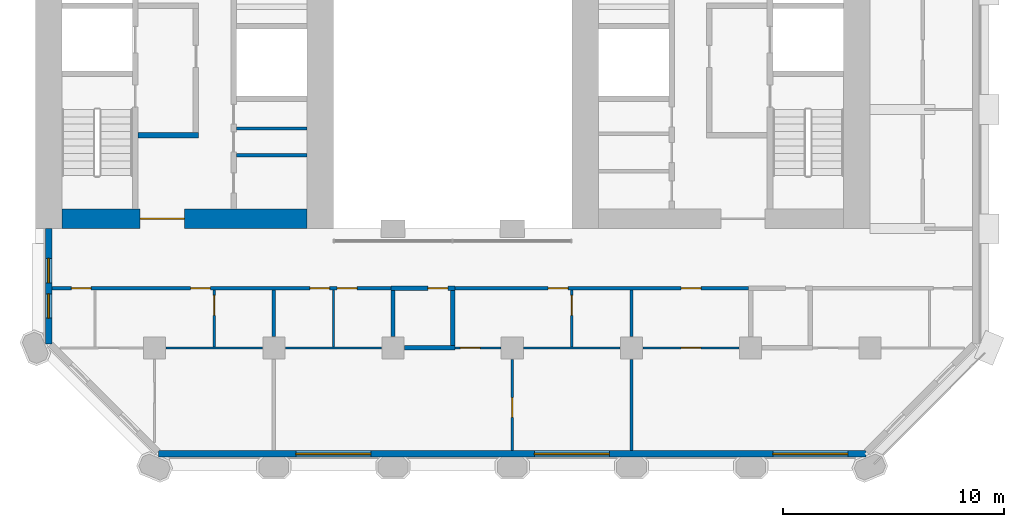
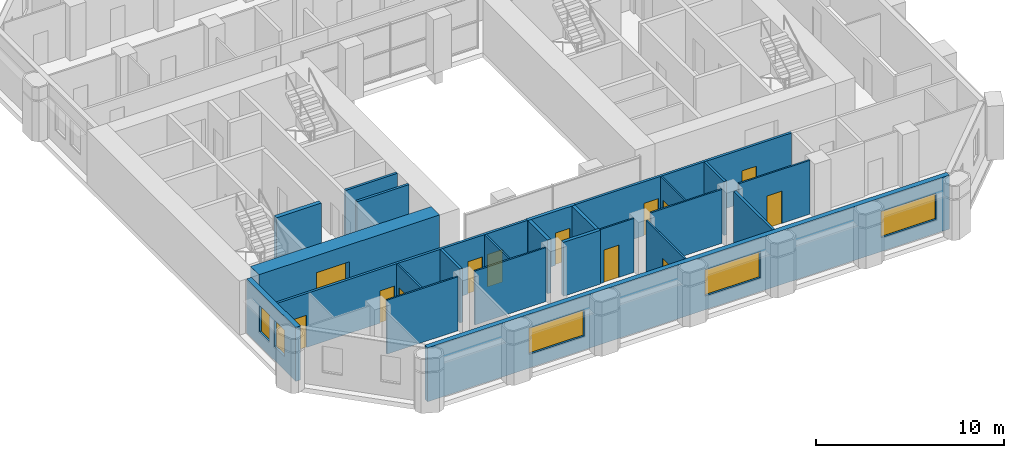
# One storey, part 4 of 10: 24 walls, 13 doors, 5 windows, 18 openings.
"""IFC4 building model written with IfcOpenShell, lengths in metres."""

from ifc_helpers import new_model, si_unit, direction, frame, frame_2d, origin, place, context, subcontext, project, spatial, rectangle, extrude, material, layer, layer_set, type_object, element, fill, save


model = new_model("IFC4")

# Units and contexts
model_context = context("Model", 3, precision=1e-05, world=origin(), true_north=direction((0.0, 1.0)))
body_context = subcontext(model_context, "Body", "Model", "MODEL_VIEW")
ifc_project = project(units=[si_unit("LENGTHUNIT", "METRE"), si_unit("AREAUNIT", "SQUARE_METRE"), si_unit("VOLUMEUNIT", "CUBIC_METRE"), si_unit("PLANEANGLEUNIT", "RADIAN"), si_unit("MASSUNIT", "GRAM", prefix="KILO")], contexts=[model_context])

# Site, building, storey
site_placement = place(None, origin())
site = spatial("IfcSite", under=ifc_project, at=site_placement, CompositionType="ELEMENT")
building_placement = place(site_placement, origin())
building = spatial("IfcBuilding", under=site, at=building_placement, Name="Tabaq Tower and Sports Hall", CompositionType="ELEMENT")
storey_placement = place(building_placement, frame((0.0, 0.0, 68.800048828125)))
storey = spatial("IfcBuildingStorey", under=building, at=storey_placement, Name="L15", CompositionType="ELEMENT", Elevation=68.800048828125)

# Walls
ifc_material_1 = material(Name="Blockwork", Category="masonry")
ifc_layer_1 = layer(ifc_material_1, 0.14990234375)
ifc_layer_set_1 = layer_set([ifc_layer_1], Name="Core room partition 150 Blockwork")
wall_type_1 = type_object("IfcWallType", Name="Core room partition 150 Blockwork", PredefinedType="PARTITIONING", material=ifc_layer_set_1)
for number, where, z_axis, x_axis, name in (
    (1, (14.5, 19.52490234375, 0.0), (0.0, 0.0, 1.0), (1.0, 0.0, 0.0), "Core room partition W L15"),
    (2, (14.5, 20.737060546875, 0.0), (0.0, 0.0, 1.0), (1.0, 0.0, 0.0), "Core room partition W L15"),
):
    element("IfcWall", number, at=place(storey_placement, frame(where, z_axis=z_axis, x_axis=x_axis)), inside=storey, type_object=wall_type_1, Name=name, PredefinedType="PARTITIONING", context=body_context, shape_type="SweptSolid", body=[
        extrude(rectangle(XDim=3.199951171875, YDim=0.14990234375, at=frame_2d((1.60009765625, 0.0))), origin(), (0.0, 0.0, 1.0), 3.5),
    ])

# Wall, opening, door
ifc_material_2 = material(Name="Concrete C60/75", Category="concrete")
ifc_layer_2 = layer(ifc_material_2, 0.89990234375)
ifc_layer_set_2 = layer_set([ifc_layer_2], Name="Core wall 900 Concrete C60/75")
wall_type_2 = type_object("IfcWallType", Name="Core wall 900 Concrete C60/75", PredefinedType="SOLIDWALL", material=ifc_layer_set_2)
wall_1_placement = place(storey_placement, frame((17.699951171875, 16.64990234375, 0.0), z_axis=(0.0, 0.0, 1.0), x_axis=(-1.0, 0.0, 0.0)))
wall_1 = element("IfcWall", 3, at=wall_1_placement, inside=storey, type_object=wall_type_2, Name="Core wall W L15", PredefinedType="SOLIDWALL", context=body_context, shape_type="SweptSolid", body=[
    extrude(rectangle(XDim=11.099853515625, YDim=0.89990234375, at=frame_2d((5.5498046875, 0.0))), origin(), (0.0, 0.0, 1.0), 3.5),
])
opening_1_placement = place(wall_1_placement, frame((5.550048828125, 0.0, 0.0)))
opening_1 = element("IfcOpeningElement", 4, at=opening_1_placement, cuts=wall_1, Name="Opening PD-WL15-01", PredefinedType="OPENING", context=body_context, shape_type="SweptSolid", body=[
    extrude(rectangle(XDim=2.0, YDim=2.39990234375, at=frame_2d((1.0, 1.199951171875))), frame((0.0, 0.449951171875, 0.0), z_axis=(0.0, -1.0, 0.0), x_axis=(1.0, 0.0, 0.0)), (0.0, 0.0, 1.0), 0.89990234375),
])
ifc_material_3 = material(Name="Steel fire door", Category="steel")
door_type_1 = type_object("IfcDoorType", Name="Core entrance door 2000", OperationType="DOUBLE_DOOR_SINGLE_SWING", PredefinedType="DOOR", material=ifc_material_3)
door_1_placement = place(opening_1_placement, origin())
door_1 = element("IfcDoor", 5, at=door_1_placement, inside=storey, type_object=door_type_1, Name="Core entrance south W L15", OperationType="DOUBLE_DOOR_SINGLE_SWING", OverallHeight=2.39990234375, OverallWidth=2.0, PredefinedType="DOOR", context=body_context, shape_type="SweptSolid", body=[
    extrude(rectangle(XDim=2.0, YDim=2.39990234375, at=frame_2d((1.0, 1.199951171875))), frame((0.0, 0.02490234375, 0.0), z_axis=(0.0, -1.0, 0.0), x_axis=(1.0, 0.0, 0.0)), (0.0, 0.0, 1.0), 0.050048828125),
])
fill(opening_1, door_1)

ifc_material_4 = material(Name="Blockwork", Category="masonry")
ifc_layer_3 = layer(ifc_material_4, 0.199951171875)
ifc_layer_set_3 = layer_set([ifc_layer_3], Name="Fire compartment wall 200 Blockwork")
wall_type_3 = type_object("IfcWallType", Name="Fire compartment wall 200 Blockwork", PredefinedType="PARTITIONING", material=ifc_layer_set_3)
wall_2_placement = place(storey_placement, frame((24.39990234375, 13.5, 0.0), z_axis=(0.0, 0.0, 1.0), x_axis=(-1.0, 0.0, 0.0)))
wall_2 = element("IfcWall", 6, at=wall_2_placement, inside=storey, type_object=wall_type_3, Name="Compartment wall L15", PredefinedType="PARTITIONING", context=body_context, shape_type="SweptSolid", body=[
    extrude(rectangle(XDim=2.89990234375, YDim=0.199951171875, at=frame_2d((1.449951171875, 0.0))), origin(), (0.0, 0.0, 1.0), 3.5),
])
opening_2_placement = place(wall_2_placement, frame((0.320068359375, 0.0, 0.0)))
opening_2 = element("IfcOpeningElement", 7, at=opening_2_placement, cuts=wall_2, Name="Opening L15-007", PredefinedType="OPENING", context=body_context, shape_type="SweptSolid", body=[
    extrude(rectangle(XDim=0.89990234375, YDim=2.10009765625, at=frame_2d((0.449951171875, 1.050048828125))), frame((0.0, 0.10009765625, 0.0), z_axis=(0.0, -1.0, 0.0), x_axis=(1.0, 0.0, 0.0)), (0.0, 0.0, 1.0), 0.199951171875),
])
ifc_material_5 = material(Name="Steel fire door", Category="steel")
door_type_2 = type_object("IfcDoorType", Name="Plant room door 900 right hand", OperationType="SINGLE_SWING_RIGHT", PredefinedType="DOOR", material=ifc_material_5)
door_2_placement = place(opening_2_placement, origin())
door_2 = element("IfcDoor", 8, at=door_2_placement, inside=storey, type_object=door_type_2, Name="Plant room door L15-007", OperationType="SINGLE_SWING_RIGHT", OverallHeight=2.10009765625, OverallWidth=0.89990234375, PredefinedType="DOOR", context=body_context, shape_type="SweptSolid", body=[
    extrude(rectangle(XDim=0.89990234375, YDim=2.10009765625, at=frame_2d((0.449951171875, 1.050048828125))), frame((0.0, 0.02490234375, 0.0), z_axis=(0.0, -1.0, 0.0), x_axis=(1.0, 0.0, 0.0)), (0.0, 0.0, 1.0), 0.050048828125),
])
fill(opening_2, door_2)

# Walls
wall_3_placement = place(storey_placement, frame((21.60009765625, 11.320068359375, 0.0), z_axis=(0.0, 0.0, 1.0), x_axis=(0.0, 1.0, 0.0)))
element("IfcWall", 9, at=wall_3_placement, inside=storey, type_object=wall_type_3, Name="Compartment wall L15", PredefinedType="PARTITIONING", context=body_context, shape_type="SweptSolid", body=[
    extrude(rectangle(XDim=2.079833984375, YDim=0.199951171875, at=frame_2d((1.0400390625, 0.0))), origin(), (0.0, 0.0, 1.0), 3.5),
])
wall_4_placement = place(storey_placement, frame((22.1201171875, 10.800048828125, 0.0), z_axis=(0.0, 0.0, 1.0), x_axis=(1.0, 0.0, 0.0)))
element("IfcWall", 10, at=wall_4_placement, inside=storey, type_object=wall_type_3, Name="Compartment wall L15", PredefinedType="PARTITIONING", context=body_context, shape_type="SweptSolid", body=[
    extrude(rectangle(XDim=2.27978515625, YDim=0.199951171875, at=frame_2d((1.139892578125, 0.0))), origin(), (0.0, 0.0, 1.0), 3.5),
])
wall_5_placement = place(storey_placement, frame((24.300048828125, 10.89990234375, 0.0), z_axis=(0.0, 0.0, 1.0), x_axis=(0.0, 1.0, 0.0)))
element("IfcWall", 11, at=wall_5_placement, inside=storey, type_object=wall_type_3, Name="Compartment wall L15", PredefinedType="PARTITIONING", context=body_context, shape_type="SweptSolid", body=[
    extrude(rectangle(XDim=2.5, YDim=0.199951171875, at=frame_2d((1.25, 0.0))), origin(), (0.0, 0.0, 1.0), 3.5),
])

# Wall, opening, door
ifc_material_6 = material(Name="Gypsum board on steel studs", Category="steel")
ifc_layer_4 = layer(ifc_material_6, 0.10009765625)
ifc_layer_set_4 = layer_set([ifc_layer_4], Name="Partition 100 Gypsum board")
wall_type_4 = type_object("IfcWallType", Name="Partition 100 Gypsum board", PredefinedType="PARTITIONING", material=ifc_layer_set_4)
wall_6_placement = place(storey_placement, frame((13.5, 10.85009765625, 0.0), z_axis=(0.0, 0.0, 1.0), x_axis=(0.0, 1.0, 0.0)))
wall_6 = element("IfcWall", 12, at=wall_6_placement, inside=storey, type_object=wall_type_4, Name="Partition wall L15", PredefinedType="PARTITIONING", context=body_context, shape_type="SweptSolid", body=[
    extrude(rectangle(XDim=2.574951171875, YDim=0.10009765625, at=frame_2d((1.28759765625, 0.0))), origin(), (0.0, 0.0, 1.0), 3.5),
])
opening_3_placement = place(wall_6_placement, frame((1.425048828125, 0.0, 0.0)))
opening_3 = element("IfcOpeningElement", 13, at=opening_3_placement, cuts=wall_6, Name="Opening L15-023", PredefinedType="OPENING", context=body_context, shape_type="SweptSolid", body=[
    extrude(rectangle(XDim=0.89990234375, YDim=2.10009765625, at=frame_2d((0.449951171875, 1.050048828125))), frame((0.0, 0.050048828125, 0.0), z_axis=(0.0, -1.0, 0.0), x_axis=(1.0, 0.0, 0.0)), (0.0, 0.0, 1.0), 0.10009765625),
])
ifc_material_7 = material(Name="Timber leaf in steel frame", Category="steel")
door_type_3 = type_object("IfcDoorType", Name="Internal door 900 left hand", OperationType="SINGLE_SWING_LEFT", PredefinedType="DOOR", material=ifc_material_7)
door_3_placement = place(opening_3_placement, origin())
door_3 = element("IfcDoor", 14, at=door_3_placement, inside=storey, type_object=door_type_3, Name="Internal door L15-023", OperationType="SINGLE_SWING_LEFT", OverallHeight=2.10009765625, OverallWidth=0.89990234375, PredefinedType="DOOR", context=body_context, shape_type="SweptSolid", body=[
    extrude(rectangle(XDim=0.89990234375, YDim=2.10009765625, at=frame_2d((0.449951171875, 1.050048828125))), frame((0.0, 0.02490234375, 0.0), z_axis=(0.0, -1.0, 0.0), x_axis=(1.0, 0.0, 0.0)), (0.0, 0.0, 1.0), 0.050048828125),
])
fill(opening_3, door_3)

# Walls
wall_7_placement = place(storey_placement, frame((11.320068359375, 10.800048828125, 0.0), z_axis=(0.0, 0.0, 1.0), x_axis=(1.0, 0.0, 0.0)))
element("IfcWall", 15, at=wall_7_placement, inside=storey, type_object=wall_type_4, Name="Partition wall L15", PredefinedType="PARTITIONING", context=body_context, shape_type="SweptSolid", body=[
    extrude(rectangle(XDim=4.35986328125, YDim=0.10009765625, at=frame_2d((2.179931640625, 0.0))), origin(), (0.0, 0.0, 1.0), 3.5),
])
wall_8_placement = place(storey_placement, frame((18.89990234375, 10.85009765625, 0.0), z_axis=(0.0, 0.0, 1.0), x_axis=(0.0, 1.0, 0.0)))
element("IfcWall", 16, at=wall_8_placement, inside=storey, type_object=wall_type_4, Name="Partition wall L15", PredefinedType="PARTITIONING", context=body_context, shape_type="SweptSolid", body=[
    extrude(rectangle(XDim=2.574951171875, YDim=0.10009765625, at=frame_2d((1.28759765625, 0.0))), origin(), (0.0, 0.0, 1.0), 3.5),
])
wall_9_placement = place(storey_placement, frame((16.719970703125, 10.800048828125, 0.0), z_axis=(0.0, 0.0, 1.0), x_axis=(1.0, 0.0, 0.0)))
element("IfcWall", 17, at=wall_9_placement, inside=storey, type_object=wall_type_4, Name="Partition wall L15", PredefinedType="PARTITIONING", context=body_context, shape_type="SweptSolid", body=[
    extrude(rectangle(XDim=4.360107421875, YDim=0.10009765625, at=frame_2d((2.18017578125, 0.0))), origin(), (0.0, 0.0, 1.0), 3.5),
])

# Wall, opening, door
wall_10_placement = place(storey_placement, frame((24.39990234375, 10.800048828125, 0.0), z_axis=(0.0, 0.0, 1.0), x_axis=(1.0, 0.0, 0.0)))
wall_10 = element("IfcWall", 18, at=wall_10_placement, inside=storey, type_object=wall_type_4, Name="Partition wall L15", PredefinedType="PARTITIONING", context=body_context, shape_type="SweptSolid", body=[
    extrude(rectangle(XDim=2.080078125, YDim=0.10009765625, at=frame_2d((1.0400390625, 0.0))), origin(), (0.0, 0.0, 1.0), 3.5),
])
opening_4_placement = place(wall_10_placement, frame((0.25, 0.0, 0.0)))
opening_4 = element("IfcOpeningElement", 19, at=opening_4_placement, cuts=wall_10, Name="Opening L15-032", PredefinedType="OPENING", context=body_context, shape_type="SweptSolid", body=[
    extrude(rectangle(XDim=0.89990234375, YDim=2.10009765625, at=frame_2d((0.449951171875, 1.050048828125))), frame((0.0, 0.050048828125, 0.0), z_axis=(0.0, -1.0, 0.0), x_axis=(1.0, 0.0, 0.0)), (0.0, 0.0, 1.0), 0.10009765625),
])
door_4_placement = place(opening_4_placement, origin())
door_4 = element("IfcDoor", 20, at=door_4_placement, inside=storey, type_object=door_type_3, Name="Internal door L15-032", OperationType="SINGLE_SWING_LEFT", OverallHeight=2.10009765625, OverallWidth=0.89990234375, PredefinedType="DOOR", context=body_context, shape_type="SweptSolid", body=[
    extrude(rectangle(XDim=0.89990234375, YDim=2.10009765625, at=frame_2d((0.449951171875, 1.050048828125))), frame((0.0, 0.02490234375, 0.0), z_axis=(0.0, -1.0, 0.0), x_axis=(1.0, 0.0, 0.0)), (0.0, 0.0, 1.0), 0.050048828125),
])
fill(opening_4, door_4)

wall_11_placement = place(storey_placement, frame((29.699951171875, 10.85009765625, 0.0), z_axis=(0.0, 0.0, 1.0), x_axis=(0.0, 1.0, 0.0)))
wall_11 = element("IfcWall", 21, at=wall_11_placement, inside=storey, type_object=wall_type_4, Name="Partition wall L15", PredefinedType="PARTITIONING", context=body_context, shape_type="SweptSolid", body=[
    extrude(rectangle(XDim=2.574951171875, YDim=0.10009765625, at=frame_2d((1.28759765625, 0.0))), origin(), (0.0, 0.0, 1.0), 3.5),
])
opening_5_placement = place(wall_11_placement, frame((1.425048828125, 0.0, 0.0)))
opening_5 = element("IfcOpeningElement", 22, at=opening_5_placement, cuts=wall_11, Name="Opening L15-025", PredefinedType="OPENING", context=body_context, shape_type="SweptSolid", body=[
    extrude(rectangle(XDim=0.89990234375, YDim=2.10009765625, at=frame_2d((0.449951171875, 1.050048828125))), frame((0.0, 0.050048828125, 0.0), z_axis=(0.0, -1.0, 0.0), x_axis=(1.0, 0.0, 0.0)), (0.0, 0.0, 1.0), 0.10009765625),
])
door_5_placement = place(opening_5_placement, origin())
door_5 = element("IfcDoor", 23, at=door_5_placement, inside=storey, type_object=door_type_3, Name="Internal door L15-025", OperationType="SINGLE_SWING_LEFT", OverallHeight=2.10009765625, OverallWidth=0.89990234375, PredefinedType="DOOR", context=body_context, shape_type="SweptSolid", body=[
    extrude(rectangle(XDim=0.89990234375, YDim=2.10009765625, at=frame_2d((0.449951171875, 1.050048828125))), frame((0.0, 0.02490234375, 0.0), z_axis=(0.0, -1.0, 0.0), x_axis=(1.0, 0.0, 0.0)), (0.0, 0.0, 1.0), 0.050048828125),
])
fill(opening_5, door_5)

# Wall
wall_12_placement = place(storey_placement, frame((27.52001953125, 10.800048828125, 0.0), z_axis=(0.0, 0.0, 1.0), x_axis=(1.0, 0.0, 0.0)))
element("IfcWall", 24, at=wall_12_placement, inside=storey, type_object=wall_type_4, Name="Partition wall L15", PredefinedType="PARTITIONING", context=body_context, shape_type="SweptSolid", body=[
    extrude(rectangle(XDim=4.35986328125, YDim=0.10009765625, at=frame_2d((2.179931640625, 0.0))), origin(), (0.0, 0.0, 1.0), 3.5),
])

# Wall, opening, door
wall_13_placement = place(storey_placement, frame((27.0, 6.15087890625, 0.0), z_axis=(0.0, 0.0, 1.0), x_axis=(0.0, 1.0, 0.0)))
wall_13 = element("IfcWall", 25, at=wall_13_placement, inside=storey, type_object=wall_type_4, Name="Partition wall L15", PredefinedType="PARTITIONING", context=body_context, shape_type="SweptSolid", body=[
    extrude(rectangle(XDim=4.129150390625, YDim=0.10009765625, at=frame_2d((2.064453125, 0.0))), origin(), (0.0, 0.0, 1.0), 3.5),
])
opening_6_placement = place(wall_13_placement, frame((1.4990234375, 0.0, 0.0)))
opening_6 = element("IfcOpeningElement", 26, at=opening_6_placement, cuts=wall_13, Name="Opening L15-026", PredefinedType="OPENING", context=body_context, shape_type="SweptSolid", body=[
    extrude(rectangle(XDim=0.89990234375, YDim=2.10009765625, at=frame_2d((0.449951171875, 1.050048828125))), frame((0.0, 0.050048828125, 0.0), z_axis=(0.0, -1.0, 0.0), x_axis=(1.0, 0.0, 0.0)), (0.0, 0.0, 1.0), 0.10009765625),
])
door_6_placement = place(opening_6_placement, origin())
door_6 = element("IfcDoor", 27, at=door_6_placement, inside=storey, type_object=door_type_3, Name="Internal door L15-026", OperationType="SINGLE_SWING_LEFT", OverallHeight=2.10009765625, OverallWidth=0.89990234375, PredefinedType="DOOR", context=body_context, shape_type="SweptSolid", body=[
    extrude(rectangle(XDim=0.89990234375, YDim=2.10009765625, at=frame_2d((0.449951171875, 1.050048828125))), frame((0.0, 0.02490234375, 0.0), z_axis=(0.0, -1.0, 0.0), x_axis=(1.0, 0.0, 0.0)), (0.0, 0.0, 1.0), 0.050048828125),
])
fill(opening_6, door_6)

wall_14_placement = place(storey_placement, frame((32.919921875, 10.800048828125, 0.0), z_axis=(0.0, 0.0, 1.0), x_axis=(1.0, 0.0, 0.0)))
wall_14 = element("IfcWall", 28, at=wall_14_placement, inside=storey, type_object=wall_type_4, Name="Partition wall L15", PredefinedType="PARTITIONING", context=body_context, shape_type="SweptSolid", body=[
    extrude(rectangle(XDim=4.360107421875, YDim=0.10009765625, at=frame_2d((2.18017578125, 0.0))), origin(), (0.0, 0.0, 1.0), 3.5),
])
opening_7_placement = place(wall_14_placement, frame((1.72998046875, 0.0, 0.0)))
opening_7 = element("IfcOpeningElement", 29, at=opening_7_placement, cuts=wall_14, Name="Opening L15-033", PredefinedType="OPENING", context=body_context, shape_type="SweptSolid", body=[
    extrude(rectangle(XDim=0.89990234375, YDim=2.10009765625, at=frame_2d((0.449951171875, 1.050048828125))), frame((0.0, 0.050048828125, 0.0), z_axis=(0.0, -1.0, 0.0), x_axis=(1.0, 0.0, 0.0)), (0.0, 0.0, 1.0), 0.10009765625),
])
ifc_material_8 = material(Name="Timber leaf in steel frame", Category="steel")
door_type_4 = type_object("IfcDoorType", Name="Internal door 900 right hand", OperationType="SINGLE_SWING_RIGHT", PredefinedType="DOOR", material=ifc_material_8)
door_7_placement = place(opening_7_placement, origin())
door_7 = element("IfcDoor", 30, at=door_7_placement, inside=storey, type_object=door_type_4, Name="Internal door L15-033", OperationType="SINGLE_SWING_RIGHT", OverallHeight=2.10009765625, OverallWidth=0.89990234375, PredefinedType="DOOR", context=body_context, shape_type="SweptSolid", body=[
    extrude(rectangle(XDim=0.89990234375, YDim=2.10009765625, at=frame_2d((0.449951171875, 1.050048828125))), frame((0.0, 0.02490234375, 0.0), z_axis=(0.0, -1.0, 0.0), x_axis=(1.0, 0.0, 0.0)), (0.0, 0.0, 1.0), 0.050048828125),
])
fill(opening_7, door_7)

# Wall, openings, doors
ifc_material_9 = material(Name="Blockwork", Category="masonry")
ifc_layer_5 = layer(ifc_material_9, 0.14990234375)
ifc_layer_set_5 = layer_set([ifc_layer_5], Name="Separating wall 150 Blockwork")
wall_type_5 = type_object("IfcWallType", Name="Separating wall 150 Blockwork", PredefinedType="PARTITIONING", material=ifc_layer_set_5)
wall_15_placement = place(storey_placement, frame((37.699951171875, 13.5, 0.0), z_axis=(0.0, 0.0, 1.0), x_axis=(-1.0, 0.0, 0.0)))
wall_15 = element("IfcWall", 31, at=wall_15_placement, inside=storey, type_object=wall_type_5, Name="Separating wall L15", PredefinedType="PARTITIONING", context=body_context, shape_type="SweptSolid", body=[
    extrude(rectangle(XDim=13.300048828125, YDim=0.14990234375, at=frame_2d((6.64990234375, 0.0))), origin(), (0.0, 0.0, 1.0), 3.5),
])
opening_8_placement = place(wall_15_placement, frame((2.14990234375, 0.0, 0.0)))
opening_8 = element("IfcOpeningElement", 32, at=opening_8_placement, cuts=wall_15, Name="Opening L15-029", PredefinedType="OPENING", context=body_context, shape_type="SweptSolid", body=[
    extrude(rectangle(XDim=0.89990234375, YDim=2.10009765625, at=frame_2d((0.449951171875, 1.050048828125))), frame((0.0, 0.074951171875, 0.0), z_axis=(0.0, -1.0, 0.0), x_axis=(1.0, 0.0, 0.0)), (0.0, 0.0, 1.0), 0.14990234375),
])
opening_9_placement = place(wall_15_placement, frame((8.169921875, 0.0, 0.0)))
opening_9 = element("IfcOpeningElement", 33, at=opening_9_placement, cuts=wall_15, Name="Opening L15-035", PredefinedType="OPENING", context=body_context, shape_type="SweptSolid", body=[
    extrude(rectangle(XDim=0.89990234375, YDim=2.10009765625, at=frame_2d((0.449951171875, 1.050048828125))), frame((0.0, 0.074951171875, 0.0), z_axis=(0.0, -1.0, 0.0), x_axis=(1.0, 0.0, 0.0)), (0.0, 0.0, 1.0), 0.14990234375),
])
ifc_material_10 = material(Name="Steel fire door", Category="steel")
door_type_5 = type_object("IfcDoorType", Name="Entrance door 900 right hand", OperationType="SINGLE_SWING_RIGHT", PredefinedType="DOOR", material=ifc_material_10)
door_8_placement = place(opening_8_placement, origin())
door_8 = element("IfcDoor", 34, at=door_8_placement, inside=storey, type_object=door_type_5, Name="Entrance door L15-029", OperationType="SINGLE_SWING_RIGHT", OverallHeight=2.10009765625, OverallWidth=0.89990234375, PredefinedType="DOOR", context=body_context, shape_type="SweptSolid", body=[
    extrude(rectangle(XDim=0.89990234375, YDim=2.10009765625, at=frame_2d((0.449951171875, 1.050048828125))), frame((0.0, 0.02490234375, 0.0), z_axis=(0.0, -1.0, 0.0), x_axis=(1.0, 0.0, 0.0)), (0.0, 0.0, 1.0), 0.050048828125),
])
fill(opening_8, door_8)
door_9_placement = place(opening_9_placement, origin())
door_9 = element("IfcDoor", 35, at=door_9_placement, inside=storey, type_object=door_type_5, Name="Entrance door L15-035", OperationType="SINGLE_SWING_RIGHT", OverallHeight=2.10009765625, OverallWidth=0.89990234375, PredefinedType="DOOR", context=body_context, shape_type="SweptSolid", body=[
    extrude(rectangle(XDim=0.89990234375, YDim=2.10009765625, at=frame_2d((0.449951171875, 1.050048828125))), frame((0.0, 0.02490234375, 0.0), z_axis=(0.0, -1.0, 0.0), x_axis=(1.0, 0.0, 0.0)), (0.0, 0.0, 1.0), 0.050048828125),
])
fill(opening_9, door_9)

wall_16_placement = place(storey_placement, frame((21.5, 13.5, 0.0), z_axis=(0.0, 0.0, 1.0), x_axis=(-1.0, 0.0, 0.0)))
wall_16 = element("IfcWall", 36, at=wall_16_placement, inside=storey, type_object=wall_type_5, Name="Separating wall L15", PredefinedType="PARTITIONING", context=body_context, shape_type="SweptSolid", body=[
    extrude(rectangle(XDim=15.34912109375, YDim=0.14990234375, at=frame_2d((7.674560546875, 0.0))), origin(), (0.0, 0.0, 1.0), 3.5),
])
opening_10_placement = place(wall_16_placement, frame((13.570068359375, 0.0, 0.0)))
opening_10 = element("IfcOpeningElement", 37, at=opening_10_placement, cuts=wall_16, Name="Opening L15-004", PredefinedType="OPENING", context=body_context, shape_type="SweptSolid", body=[
    extrude(rectangle(XDim=0.89990234375, YDim=2.10009765625, at=frame_2d((0.449951171875, 1.050048828125))), frame((0.0, 0.074951171875, 0.0), z_axis=(0.0, -1.0, 0.0), x_axis=(1.0, 0.0, 0.0)), (0.0, 0.0, 1.0), 0.14990234375),
])
opening_11_placement = place(wall_16_placement, frame((2.77001953125, 0.0, 0.0)))
opening_11 = element("IfcOpeningElement", 38, at=opening_11_placement, cuts=wall_16, Name="Opening L15-005", PredefinedType="OPENING", context=body_context, shape_type="SweptSolid", body=[
    extrude(rectangle(XDim=0.89990234375, YDim=2.10009765625, at=frame_2d((0.449951171875, 1.050048828125))), frame((0.0, 0.074951171875, 0.0), z_axis=(0.0, -1.0, 0.0), x_axis=(1.0, 0.0, 0.0)), (0.0, 0.0, 1.0), 0.14990234375),
])
opening_12_placement = place(wall_16_placement, frame((1.530029296875, 0.0, 0.0)))
opening_12 = element("IfcOpeningElement", 39, at=opening_12_placement, cuts=wall_16, Name="Opening L15-006", PredefinedType="OPENING", context=body_context, shape_type="SweptSolid", body=[
    extrude(rectangle(XDim=0.89990234375, YDim=2.10009765625, at=frame_2d((0.449951171875, 1.050048828125))), frame((0.0, 0.074951171875, 0.0), z_axis=(0.0, -1.0, 0.0), x_axis=(1.0, 0.0, 0.0)), (0.0, 0.0, 1.0), 0.14990234375),
])
opening_13_placement = place(wall_16_placement, frame((8.169921875, 0.0, 0.0)))
opening_13 = element("IfcOpeningElement", 40, at=opening_13_placement, cuts=wall_16, Name="Opening L15-034", PredefinedType="OPENING", context=body_context, shape_type="SweptSolid", body=[
    extrude(rectangle(XDim=0.89990234375, YDim=2.10009765625, at=frame_2d((0.449951171875, 1.050048828125))), frame((0.0, 0.074951171875, 0.0), z_axis=(0.0, -1.0, 0.0), x_axis=(1.0, 0.0, 0.0)), (0.0, 0.0, 1.0), 0.14990234375),
])
door_10_placement = place(opening_10_placement, origin())
door_10 = element("IfcDoor", 41, at=door_10_placement, inside=storey, type_object=door_type_5, Name="Entrance door L15-004", OperationType="SINGLE_SWING_RIGHT", OverallHeight=2.10009765625, OverallWidth=0.89990234375, PredefinedType="DOOR", context=body_context, shape_type="SweptSolid", body=[
    extrude(rectangle(XDim=0.89990234375, YDim=2.10009765625, at=frame_2d((0.449951171875, 1.050048828125))), frame((0.0, 0.02490234375, 0.0), z_axis=(0.0, -1.0, 0.0), x_axis=(1.0, 0.0, 0.0)), (0.0, 0.0, 1.0), 0.050048828125),
])
fill(opening_10, door_10)
door_11_placement = place(opening_11_placement, origin())
door_11 = element("IfcDoor", 42, at=door_11_placement, inside=storey, type_object=door_type_5, Name="Entrance door L15-005", OperationType="SINGLE_SWING_RIGHT", OverallHeight=2.10009765625, OverallWidth=0.89990234375, PredefinedType="DOOR", context=body_context, shape_type="SweptSolid", body=[
    extrude(rectangle(XDim=0.89990234375, YDim=2.10009765625, at=frame_2d((0.449951171875, 1.050048828125))), frame((0.0, 0.02490234375, 0.0), z_axis=(0.0, -1.0, 0.0), x_axis=(1.0, 0.0, 0.0)), (0.0, 0.0, 1.0), 0.050048828125),
])
fill(opening_11, door_11)
door_12_placement = place(opening_12_placement, origin())
door_12 = element("IfcDoor", 43, at=door_12_placement, inside=storey, type_object=door_type_5, Name="Entrance door L15-006", OperationType="SINGLE_SWING_RIGHT", OverallHeight=2.10009765625, OverallWidth=0.89990234375, PredefinedType="DOOR", context=body_context, shape_type="SweptSolid", body=[
    extrude(rectangle(XDim=0.89990234375, YDim=2.10009765625, at=frame_2d((0.449951171875, 1.050048828125))), frame((0.0, 0.02490234375, 0.0), z_axis=(0.0, -1.0, 0.0), x_axis=(1.0, 0.0, 0.0)), (0.0, 0.0, 1.0), 0.050048828125),
])
fill(opening_12, door_12)
door_13_placement = place(opening_13_placement, origin())
door_13 = element("IfcDoor", 44, at=door_13_placement, inside=storey, type_object=door_type_5, Name="Entrance door L15-034", OperationType="SINGLE_SWING_RIGHT", OverallHeight=2.10009765625, OverallWidth=0.89990234375, PredefinedType="DOOR", context=body_context, shape_type="SweptSolid", body=[
    extrude(rectangle(XDim=0.89990234375, YDim=2.10009765625, at=frame_2d((0.449951171875, 1.050048828125))), frame((0.0, 0.02490234375, 0.0), z_axis=(0.0, -1.0, 0.0), x_axis=(1.0, 0.0, 0.0)), (0.0, 0.0, 1.0), 0.050048828125),
])
fill(opening_13, door_13)

# Walls
for number, where, z_axis, x_axis, name in (
    (45, (16.199951171875, 11.320068359375, 0.0), (0.0, 0.0, 1.0), (0.0, 1.0, 0.0), "Separating wall L15"),
    (46, (32.39990234375, 11.320068359375, 0.0), (0.0, 0.0, 1.0), (0.0, 1.0, 0.0), "Separating wall L15"),
):
    element("IfcWall", number, at=place(storey_placement, frame(where, z_axis=z_axis, x_axis=x_axis)), inside=storey, type_object=wall_type_5, Name=name, PredefinedType="PARTITIONING", context=body_context, shape_type="SweptSolid", body=[
        extrude(rectangle(XDim=2.10498046875, YDim=0.14990234375, at=frame_2d((1.052490234375, 0.0))), origin(), (0.0, 0.0, 1.0), 3.5),
    ])
wall_17_placement = place(storey_placement, frame((32.39990234375, 6.15087890625, 0.0), z_axis=(0.0, 0.0, 1.0), x_axis=(0.0, 1.0, 0.0)))
element("IfcWall", 47, at=wall_17_placement, inside=storey, type_object=wall_type_5, Name="Separating wall L15", PredefinedType="PARTITIONING", context=body_context, shape_type="SweptSolid", body=[
    extrude(rectangle(XDim=4.129150390625, YDim=0.14990234375, at=frame_2d((2.064453125, 0.0))), origin(), (0.0, 0.0, 1.0), 3.5),
])
ifc_material_11 = material(Name="Concrete C40/50", Category="concrete")
ifc_layer_6 = layer(ifc_material_11, 0.25)
ifc_layer_set_6 = layer_set([ifc_layer_6], Name="Shaft and stair wall 250 Concrete C40/50")
wall_type_6 = type_object("IfcWallType", Name="Shaft and stair wall 250 Concrete C40/50", PredefinedType="SOLIDWALL", material=ifc_layer_set_6)
wall_18_placement = place(storey_placement, frame((10.050048828125, 20.425048828125, 0.0), z_axis=(0.0, 0.0, 1.0), x_axis=(1.0, 0.0, 0.0)))
element("IfcWall", 48, at=wall_18_placement, inside=storey, type_object=wall_type_6, Name="Fire-fighting lobby wall W L15", PredefinedType="SOLIDWALL", context=body_context, shape_type="SweptSolid", body=[
    extrude(rectangle(XDim=2.75, YDim=0.25, at=frame_2d((1.375, 0.0))), origin(), (0.0, 0.0, 1.0), 3.5),
])

# Wall, openings, windows
ifc_material_12 = material(Name="White precast concrete C60/75", Category="concrete")
ifc_layer_7 = layer(ifc_material_12, 0.300048828125)
ifc_layer_set_7 = layer_set([ifc_layer_7], Name="White precast concrete C60/75 external wall 300")
wall_type_7 = type_object("IfcWallType", Name="White precast concrete C60/75 external wall 300", PredefinedType="SOLIDWALL", material=ifc_layer_set_7)
wall_19_placement = place(storey_placement, frame((10.986328125, 6.0, 0.0), z_axis=(0.0, 0.0, 1.0), x_axis=(1.0, 0.0, 0.0)))
wall_19 = element("IfcWall", 49, at=wall_19_placement, inside=storey, type_object=wall_type_7, Name="External Wall L15 S", PredefinedType="SOLIDWALL", context=body_context, shape_type="SweptSolid", body=[
    extrude(rectangle(XDim=32.02734375, YDim=0.300048828125, at=frame_2d((16.013671875, 0.0))), origin(), (0.0, 0.0, 1.0), 3.5),
])
opening_14_placement = place(wall_19_placement, frame((6.213623046875, 0.0, 0.89990234375)))
opening_14 = element("IfcOpeningElement", 50, at=opening_14_placement, cuts=wall_19, Name="Opening W1A", PredefinedType="OPENING", context=body_context, shape_type="SweptSolid", body=[
    extrude(rectangle(XDim=3.39990234375, YDim=1.699951171875, at=frame_2d((1.699951171875, 0.85009765625))), frame((0.0, 0.16015625, 0.0), z_axis=(0.0, -1.0, 0.0), x_axis=(1.0, 0.0, 0.0)), (0.0, 0.0, 1.0), 0.320068359375),
])
opening_15_placement = place(wall_19_placement, frame((17.013671875, 0.0, 0.89990234375)))
opening_15 = element("IfcOpeningElement", 51, at=opening_15_placement, cuts=wall_19, Name="Opening W1A", PredefinedType="OPENING", context=body_context, shape_type="SweptSolid", body=[
    extrude(rectangle(XDim=3.39990234375, YDim=1.699951171875, at=frame_2d((1.699951171875, 0.85009765625))), frame((0.0, 0.16015625, 0.0), z_axis=(0.0, -1.0, 0.0), x_axis=(1.0, 0.0, 0.0)), (0.0, 0.0, 1.0), 0.320068359375),
])
opening_16_placement = place(wall_19_placement, frame((27.813720703125, 0.0, 0.89990234375)))
opening_16 = element("IfcOpeningElement", 52, at=opening_16_placement, cuts=wall_19, Name="Opening W1A", PredefinedType="OPENING", context=body_context, shape_type="SweptSolid", body=[
    extrude(rectangle(XDim=3.39990234375, YDim=1.699951171875, at=frame_2d((1.699951171875, 0.85009765625))), frame((0.0, 0.16015625, 0.0), z_axis=(0.0, -1.0, 0.0), x_axis=(1.0, 0.0, 0.0)), (0.0, 0.0, 1.0), 0.320068359375),
])
ifc_material_13 = material(Name="Aluminium framed clear glazing", Category="aluminium")
window_type_1 = type_object("IfcWindowType", Name="Window W1A", PartitioningType="SINGLE_PANEL", PredefinedType="WINDOW", material=ifc_material_13)
window_1_placement = place(opening_14_placement, origin())
window_1 = element("IfcWindow", 53, at=window_1_placement, inside=storey, type_object=window_type_1, Name="Window W1A L15", OverallHeight=1.699951171875, OverallWidth=3.39990234375, PartitioningType="SINGLE_PANEL", PredefinedType="WINDOW", context=body_context, shape_type="SweptSolid", body=[
    extrude(rectangle(XDim=3.39990234375, YDim=1.699951171875, at=frame_2d((1.699951171875, 0.85009765625))), frame((0.0, 0.030029296875, 0.0), z_axis=(0.0, -1.0, 0.0), x_axis=(1.0, 0.0, 0.0)), (0.0, 0.0, 1.0), 0.06005859375),
])
fill(opening_14, window_1)
window_2_placement = place(opening_15_placement, origin())
window_2 = element("IfcWindow", 54, at=window_2_placement, inside=storey, type_object=window_type_1, Name="Window W1A L15", OverallHeight=1.699951171875, OverallWidth=3.39990234375, PartitioningType="SINGLE_PANEL", PredefinedType="WINDOW", context=body_context, shape_type="SweptSolid", body=[
    extrude(rectangle(XDim=3.39990234375, YDim=1.699951171875, at=frame_2d((1.699951171875, 0.85009765625))), frame((0.0, 0.030029296875, 0.0), z_axis=(0.0, -1.0, 0.0), x_axis=(1.0, 0.0, 0.0)), (0.0, 0.0, 1.0), 0.06005859375),
])
fill(opening_15, window_2)
window_3_placement = place(opening_16_placement, origin())
window_3 = element("IfcWindow", 55, at=window_3_placement, inside=storey, type_object=window_type_1, Name="Window W1A L15", OverallHeight=1.699951171875, OverallWidth=3.39990234375, PartitioningType="SINGLE_PANEL", PredefinedType="WINDOW", context=body_context, shape_type="SweptSolid", body=[
    extrude(rectangle(XDim=3.39990234375, YDim=1.699951171875, at=frame_2d((1.699951171875, 0.85009765625))), frame((0.0, 0.030029296875, 0.0), z_axis=(0.0, -1.0, 0.0), x_axis=(1.0, 0.0, 0.0)), (0.0, 0.0, 1.0), 0.06005859375),
])
fill(opening_16, window_3)

wall_20_placement = place(storey_placement, frame((6.0, 16.199951171875, 0.0), z_axis=(0.0, 0.0, 1.0), x_axis=(0.0, -1.0, 0.0)))
wall_20 = element("IfcWall", 56, at=wall_20_placement, inside=storey, type_object=wall_type_7, Name="External Wall L15 W", PredefinedType="SOLIDWALL", context=body_context, shape_type="SweptSolid", body=[
    extrude(rectangle(XDim=5.213623046875, YDim=0.300048828125, at=frame_2d((2.60693359375, 0.0))), origin(), (0.0, 0.0, 1.0), 3.5),
])
opening_17_placement = place(wall_20_placement, frame((1.35009765625, 0.0, 0.89990234375)))
opening_17 = element("IfcOpeningElement", 57, at=opening_17_placement, cuts=wall_20, Name="Opening W1B", PredefinedType="OPENING", context=body_context, shape_type="SweptSolid", body=[
    extrude(rectangle(XDim=1.10009765625, YDim=1.699951171875, at=frame_2d((0.550048828125, 0.85009765625))), frame((0.0, 0.16015625, 0.0), z_axis=(0.0, -1.0, 0.0), x_axis=(1.0, 0.0, 0.0)), (0.0, 0.0, 1.0), 0.320068359375),
])
opening_18_placement = place(wall_20_placement, frame((2.949951171875, 0.0, 0.89990234375)))
opening_18 = element("IfcOpeningElement", 58, at=opening_18_placement, cuts=wall_20, Name="Opening W1B", PredefinedType="OPENING", context=body_context, shape_type="SweptSolid", body=[
    extrude(rectangle(XDim=1.10009765625, YDim=1.699951171875, at=frame_2d((0.550048828125, 0.85009765625))), frame((0.0, 0.16015625, 0.0), z_axis=(0.0, -1.0, 0.0), x_axis=(1.0, 0.0, 0.0)), (0.0, 0.0, 1.0), 0.320068359375),
])
ifc_material_14 = material(Name="Aluminium framed clear glazing", Category="aluminium")
window_type_2 = type_object("IfcWindowType", Name="Window W1B", PartitioningType="SINGLE_PANEL", PredefinedType="WINDOW", material=ifc_material_14)
window_4_placement = place(opening_17_placement, origin())
window_4 = element("IfcWindow", 59, at=window_4_placement, inside=storey, type_object=window_type_2, Name="Window W1B L15", OverallHeight=1.699951171875, OverallWidth=1.10009765625, PartitioningType="SINGLE_PANEL", PredefinedType="WINDOW", context=body_context, shape_type="SweptSolid", body=[
    extrude(rectangle(XDim=1.10009765625, YDim=1.699951171875, at=frame_2d((0.550048828125, 0.85009765625))), frame((0.0, 0.030029296875, 0.0), z_axis=(0.0, -1.0, 0.0), x_axis=(1.0, 0.0, 0.0)), (0.0, 0.0, 1.0), 0.06005859375),
])
fill(opening_17, window_4)
window_5_placement = place(opening_18_placement, origin())
window_5 = element("IfcWindow", 60, at=window_5_placement, inside=storey, type_object=window_type_2, Name="Window W1B L15", OverallHeight=1.699951171875, OverallWidth=1.10009765625, PartitioningType="SINGLE_PANEL", PredefinedType="WINDOW", context=body_context, shape_type="SweptSolid", body=[
    extrude(rectangle(XDim=1.10009765625, YDim=1.699951171875, at=frame_2d((0.550048828125, 0.85009765625))), frame((0.0, 0.030029296875, 0.0), z_axis=(0.0, -1.0, 0.0), x_axis=(1.0, 0.0, 0.0)), (0.0, 0.0, 1.0), 0.06005859375),
])
fill(opening_18, window_5)

save(model, "model.ifc")
